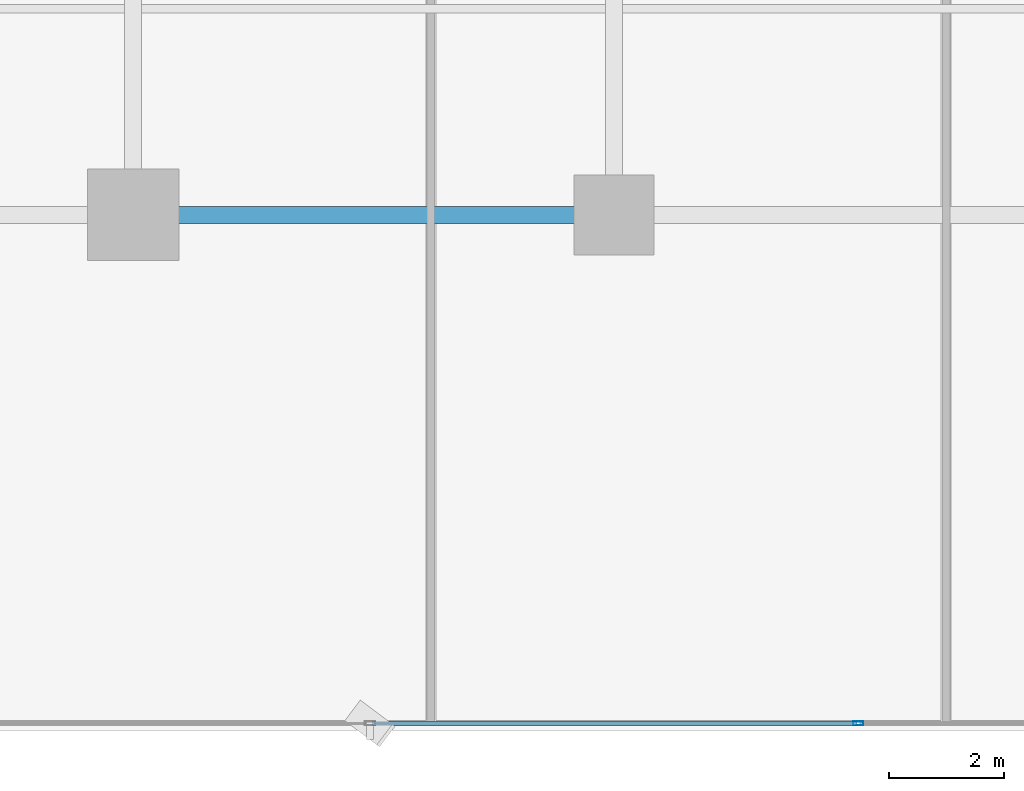
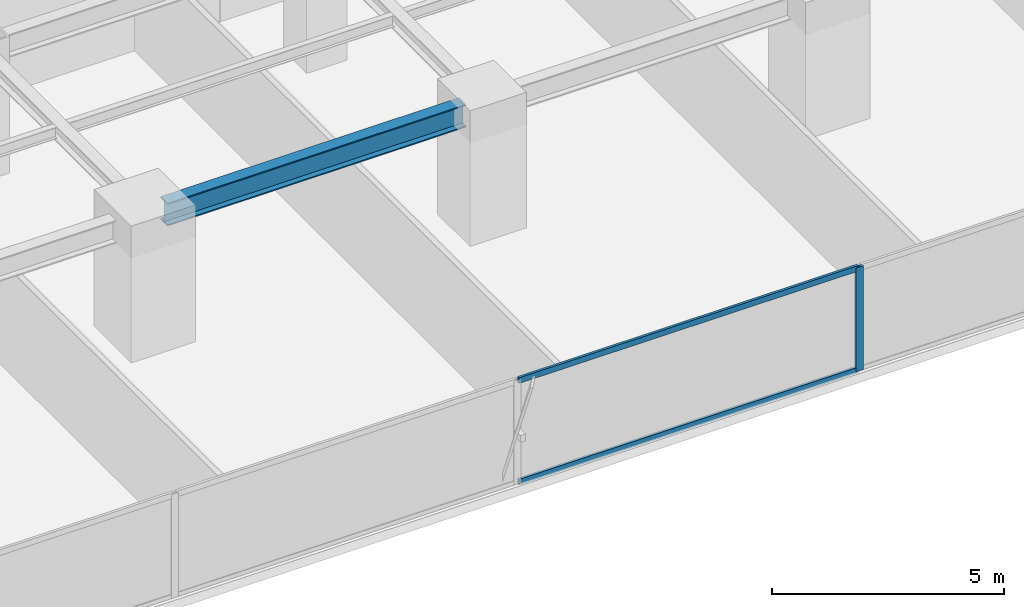
# One storey, part 5 of 34: 3 members, 1 beam, 1 element without a shape of its own.
"""IFC4 building model written with IfcOpenShell, lengths in metres."""

from ifc_helpers import new_model, si_unit, direction, frame, origin, origin_2d, place, context, subcontext, project, spatial, hollow_rectangle, i_section, extrude, source, transform, mapped, material, layer, layer_set, material_profile, profile_set, type_object, element, aggregate, save


model = new_model("IFC4")

# Units and contexts
model_context = context("Model", 3, precision=1e-05, world=origin(), true_north=direction((0.0, 1.0)))
body_context = subcontext(model_context, "Body", "Model", "MODEL_VIEW")
ifc_project = project(units=[si_unit("LENGTHUNIT", "METRE"), si_unit("AREAUNIT", "SQUARE_METRE"), si_unit("VOLUMEUNIT", "CUBIC_METRE"), si_unit("PLANEANGLEUNIT", "RADIAN"), si_unit("MASSUNIT", "GRAM", prefix="KILO")], contexts=[model_context])

# Site, building, storey
site_placement = place(None, origin())
site = spatial("IfcSite", under=ifc_project, at=site_placement, CompositionType="ELEMENT")
building_placement = place(site_placement, origin())
building = spatial("IfcBuilding", under=site, at=building_placement, Name="Sumidabori Civic Tower", CompositionType="ELEMENT")
storey_placement = place(building_placement, frame((0.0, 0.0, 34.39990234375)))
storey = spatial("IfcBuildingStorey", under=building, at=storey_placement, Name="L08", CompositionType="ELEMENT", Elevation=34.39990234375)

# Beam
ifc_material_1 = material(Name="Steel SN490", Category="steel")
ifc_material_profile_1 = material_profile(ifc_material_1, i_section(OverallWidth=0.300048828125, OverallDepth=0.60009765625, WebThickness=0.015380859375, FlangeThickness=0.030029296875, at=origin_2d()), Name="HE 600 B")
ifc_profile_set_1 = profile_set([ifc_material_profile_1], Name="Steel SN490")
beam_type = type_object("IfcBeamType", Name="BM-GIRD-600", PredefinedType="BEAM", material=ifc_profile_set_1)
shared_shape_1 = source(origin(), body_context, "Body", "SweptSolid", [
    extrude(i_section(OverallWidth=0.300048828125, OverallDepth=0.60009765625, WebThickness=0.015380859375, FlangeThickness=0.030029296875, at=origin_2d()), origin(), (0.0, 0.0, 1.0), 7.43994140625),
])
beam_placement = place(storey_placement, frame((-7.919921875, -18.0, 3.06005859375), z_axis=(1.0, 0.0, 0.0), x_axis=(0.0, 1.0, 0.0)))
element("IfcBeam", 1, at=beam_placement, inside=storey, type_object=beam_type, Name="Primary Girder L08 GX-03", PredefinedType="BEAM", context=body_context, shape_type="MappedRepresentation", body=[
    mapped(shared_shape_1, transform((0.0, 0.0, 0.0), x_axis=(1.0, 0.0, 0.0), y_axis=(0.0, 1.0, 0.0), z_axis=(0.0, 0.0, 1.0), scale=1.0)),
])

# Curtain wall, members
ifc_material_2 = material(Name="Anodised Bronze Aluminium AW-6063-T6", Category="aluminium")
ifc_layer = layer(ifc_material_2, 0.179931640625, Name="Anodised Bronze Aluminium AW-6063-T6")
ifc_layer_set = layer_set([ifc_layer], Name="Anodised Bronze Aluminium AW-6063-T6")
curtain_wall_type = type_object("IfcCurtainWallType", Name="CW-SYS-2", PredefinedType="NOTDEFINED", material=ifc_layer_set)
curtain_wall_placement = place(storey_placement, origin())
curtain_wall = element("IfcCurtainWall", 2, at=curtain_wall_placement, inside=storey, type_object=curtain_wall_type, Name="Curtain Wall CW:L08:R01", PredefinedType="NOTDEFINED")
ifc_material_profile_2 = material_profile(ifc_material_2, hollow_rectangle(XDim=0.070068359375, YDim=0.179931640625, WallThickness=0.006103515625, at=origin_2d()), Name="ALU MULLION 180x70")
ifc_profile_set_2 = profile_set([ifc_material_profile_2], Name="Anodised Bronze Aluminium AW-6063-T6")
member_type_1 = type_object("IfcMemberType", Name="CW-MUL-180", PredefinedType="MULLION", material=ifc_profile_set_2)
shared_shape_2 = source(origin(), body_context, "Body", "SweptSolid", [
    extrude(hollow_rectangle(XDim=0.070068359375, YDim=0.179931640625, WallThickness=0.006103515625, at=origin_2d()), origin(), (0.0, 0.0, 1.0), 2.739990234375),
])
member_1_placement = place(storey_placement, frame((4.263916015625, -26.8798828125, 0.0), z_axis=(0.0, 0.0, 1.0), x_axis=(0.0, 1.0, 0.0)))
member_1 = element("IfcMember", 3, at=member_1_placement, type_object=member_type_1, Name="CW-2 mullion 4", PredefinedType="MULLION", context=body_context, shape_type="MappedRepresentation", body=[
    mapped(shared_shape_2, transform((0.0, 0.0, 0.0), x_axis=(1.0, 0.0, 0.0), y_axis=(0.0, 1.0, 0.0), z_axis=(0.0, 0.0, 1.0), scale=1.0)),
])
ifc_material_profile_3 = material_profile(ifc_material_2, hollow_rectangle(XDim=0.06494140625, YDim=0.14990234375, WallThickness=0.0048828125, at=origin_2d()), Name="ALU TRANSOM 150x65")
ifc_profile_set_3 = profile_set([ifc_material_profile_3], Name="Anodised Bronze Aluminium AW-6063-T6")
member_type_2 = type_object("IfcMemberType", Name="CW-TRN-150", PredefinedType="USERDEFINED", material=ifc_profile_set_3)
shared_shape_3 = source(origin(), body_context, "Body", "SweptSolid", [
    extrude(hollow_rectangle(XDim=0.06494140625, YDim=0.14990234375, WallThickness=0.0048828125, at=origin_2d()), origin(), (0.0, 0.0, 1.0), 8.4580078125),
])
member_2_placement = place(storey_placement, frame((-4.22900390625, -26.8798828125, 0.03271484375), z_axis=(1.0, 0.0, 0.0), x_axis=(0.0, 1.0, 0.0)))
member_2 = element("IfcMember", 4, at=member_2_placement, type_object=member_type_2, Name="CW-2 transom 3.1", ObjectType="TRANSOM", PredefinedType="USERDEFINED", context=body_context, shape_type="MappedRepresentation", body=[
    mapped(shared_shape_3, transform((0.0, 0.0, 0.0), x_axis=(1.0, 0.0, 0.0), y_axis=(0.0, 1.0, 0.0), z_axis=(0.0, 0.0, 1.0), scale=1.0)),
])
member_3_placement = place(storey_placement, frame((-4.22900390625, -26.8798828125, 2.70751953125), z_axis=(1.0, 0.0, 0.0), x_axis=(0.0, 1.0, 0.0)))
member_3 = element("IfcMember", 5, at=member_3_placement, type_object=member_type_2, Name="CW-2 transom 3.2", ObjectType="TRANSOM", PredefinedType="USERDEFINED", context=body_context, shape_type="MappedRepresentation", body=[
    mapped(shared_shape_3, transform((0.0, 0.0, 0.0), x_axis=(1.0, 0.0, 0.0), y_axis=(0.0, 1.0, 0.0), z_axis=(0.0, 0.0, 1.0), scale=1.0)),
])
aggregate(curtain_wall, [member_1, member_2, member_3])

save(model, "model.ifc")
